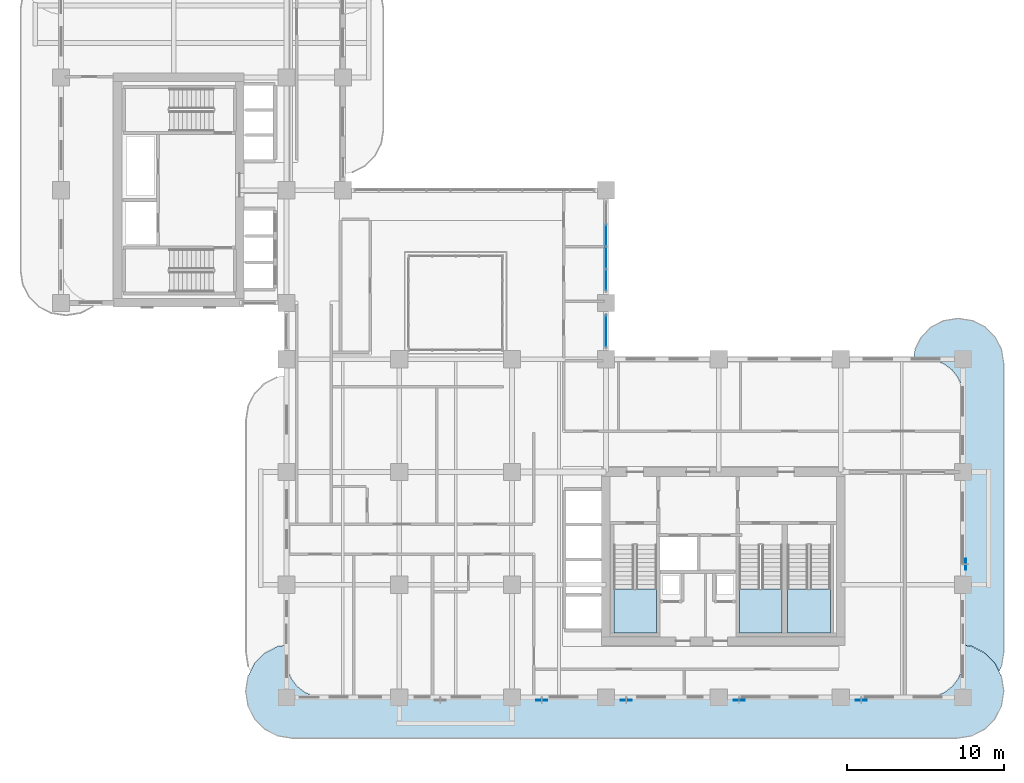
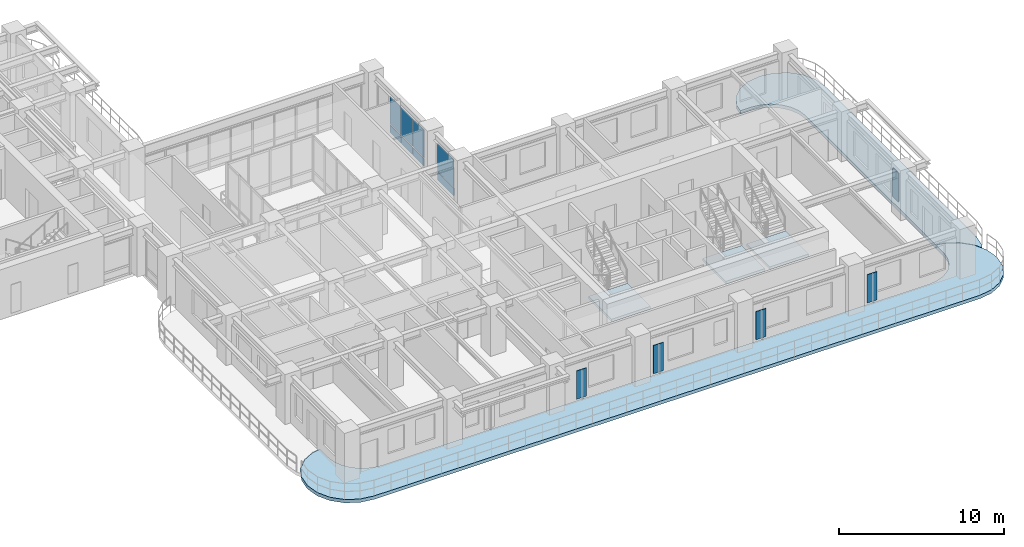
# One storey, part 10 of 22: 13 plates, 5 slabs, 5 elements without a shape of their own.
"""IFC4 building model written with IfcOpenShell, lengths in metres."""

from ifc_helpers import new_model, si_unit, derived_unit, direction, frame, origin, origin_2d, place, context, subcontext, project, spatial, polyline, rectangle, outline, extrude, source, transform, mapped, material, layer, layer_set, type_object, type_shapes, element, aggregate, save


model = new_model("IFC4")

# Units and contexts
model_context = context("Model", 3, precision=1e-05, world=origin(), true_north=direction((0.0, 1.0)))
body_context = subcontext(model_context, "Body", "Model", "MODEL_VIEW")
ifc_project = project(units=[si_unit("LENGTHUNIT", "METRE"), si_unit("AREAUNIT", "SQUARE_METRE"), si_unit("VOLUMEUNIT", "CUBIC_METRE"), si_unit("PLANEANGLEUNIT", "RADIAN"), si_unit("MASSUNIT", "GRAM", prefix="KILO"), si_unit("THERMODYNAMICTEMPERATUREUNIT", "KELVIN"), si_unit("POWERUNIT", "WATT"), derived_unit("THERMALTRANSMITTANCEUNIT", [(si_unit("POWERUNIT", "WATT"), 1), (si_unit("AREAUNIT", "SQUARE_METRE"), -1), (si_unit("THERMODYNAMICTEMPERATUREUNIT", "KELVIN"), -1)])], contexts=[model_context])

# Site, building, storey
site_placement = place(None, origin())
site = spatial("IfcSite", under=ifc_project, at=site_placement, CompositionType="ELEMENT")
building_placement = place(site_placement, origin())
building = spatial("IfcBuilding", under=site, at=building_placement, Name="Zahravan Archway Hotel and Residences", CompositionType="ELEMENT")
storey_placement = place(building_placement, frame((0.0, 0.0, 99.0)))
storey = spatial("IfcBuildingStorey", under=building, at=storey_placement, Name="L24", CompositionType="ELEMENT", Elevation=99.0)

# Slabs
ifc_material_1 = material(Name="Concrete C45/55", Category="concrete")
ifc_layer_1 = layer(ifc_material_1, 0.25, Name="Concrete C45/55", Category="concrete")
ifc_layer_set_1 = layer_set([ifc_layer_1], Name="Concrete C45/55")
slab_type_1 = type_object("IfcSlabType", Name="SLB-BALC-250", PredefinedType="FLOOR", material=ifc_layer_set_1)
slab_1_placement = place(storey_placement, frame((0.0, 0.0, -0.25)))
element("IfcSlab", 1, at=slab_1_placement, inside=storey, type_object=slab_type_1, Name="L24 Wing A South Rounded Balcony Band", PredefinedType="FLOOR", context=body_context, shape_type="SweptSolid", body=[
    extrude(outline(polyline([(58.16162109375, 3.255615234375), (58.98388671875, 2.836669921875), (59.63671875, 2.18408203125), (60.0556640625, 1.361572265625), (60.199951171875, 0.449951171875), (60.199951171875, 0.35009765625), (60.0556640625, -0.5615234375), (59.63671875, -1.384033203125), (58.98388671875, -2.03662109375), (58.16162109375, -2.45556640625), (57.25, -2.60009765625), (14.75, -2.60009765625), (13.83837890625, -2.45556640625), (13.01611328125, -2.03662109375), (12.36328125, -1.384033203125), (11.9443359375, -0.5615234375), (11.800048828125, 0.35009765625), (11.800048828125, 0.449951171875), (11.9443359375, 1.361572265625), (12.36328125, 2.18408203125), (13.01611328125, 2.836669921875), (13.83837890625, 3.255615234375), (14.3798828125, 3.34130859375), (14.3798828125, 2.39990234375), (14.380126953125, 2.3974609375), (14.4619140625, 1.776123046875), (14.46240234375, 1.7744140625), (14.462646484375, 1.772705078125), (14.46337890625, 1.77099609375), (14.702880859375, 1.1923828125), (14.703857421875, 1.19091796875), (14.70458984375, 1.189208984375), (14.70556640625, 1.187744140625), (15.0869140625, 0.690673828125), (15.088134765625, 0.689453125), (15.08935546875, 0.688232421875), (15.0908203125, 0.68701171875), (15.587890625, 0.3056640625), (15.58935546875, 0.3046875), (15.5908203125, 0.3037109375), (15.59228515625, 0.302978515625), (16.171142578125, 0.063232421875), (16.1728515625, 0.062744140625), (16.174560546875, 0.062255859375), (16.17626953125, 0.06201171875), (16.79736328125, -0.019775390625), (16.800048828125, -0.02001953125), (55.199951171875, -0.02001953125), (55.20263671875, -0.019775390625), (55.82373046875, 0.06201171875), (55.825439453125, 0.062255859375), (55.8271484375, 0.062744140625), (55.828857421875, 0.063232421875), (56.40771484375, 0.302978515625), (56.4091796875, 0.3037109375), (56.41064453125, 0.3046875), (56.412109375, 0.3056640625), (56.9091796875, 0.68701171875), (56.91064453125, 0.688232421875), (56.911865234375, 0.689453125), (56.9130859375, 0.690673828125), (57.29443359375, 1.187744140625), (57.29541015625, 1.189208984375), (57.296142578125, 1.19091796875), (57.297119140625, 1.1923828125), (57.53662109375, 1.77099609375), (57.537353515625, 1.772705078125), (57.53759765625, 1.7744140625), (57.5380859375, 1.776123046875), (57.619873046875, 2.3974609375), (57.6201171875, 2.39990234375), (57.6201171875, 3.34130859375), (58.16162109375, 3.255615234375)])), origin(), (0.0, 0.0, 1.0), 0.25),
])
slab_2_placement = place(storey_placement, frame((0.0, 0.0, -0.25)))
element("IfcSlab", 2, at=slab_2_placement, inside=storey, type_object=slab_type_1, Name="L24 Wing A East Rounded Balcony Band", PredefinedType="FLOOR", context=body_context, shape_type="SweptSolid", body=[
    extrude(outline(polyline([(54.53955078125, 22.230712890625), (54.9443359375, 23.025146484375), (55.57470703125, 23.65576171875), (56.369384765625, 24.060546875), (57.25, 24.199951171875), (57.35009765625, 24.199951171875), (58.230712890625, 24.060546875), (59.025146484375, 23.65576171875), (59.65576171875, 23.025146484375), (60.060546875, 22.230712890625), (60.199951171875, 21.35009765625), (60.199951171875, 2.85009765625), (60.060546875, 1.96923828125), (59.91455078125, 1.6826171875), (59.654296875, 2.193115234375), (59.6533203125, 2.19482421875), (59.652099609375, 2.196533203125), (59.650634765625, 2.197998046875), (58.998046875, 2.8505859375), (58.99658203125, 2.85205078125), (58.994873046875, 2.853515625), (58.9931640625, 2.8544921875), (58.170654296875, 3.2734375), (58.168701171875, 3.2744140625), (58.166748046875, 3.27490234375), (58.164794921875, 3.275390625), (57.623046875, 3.361083984375), (57.62109375, 3.361328125), (57.6201171875, 3.361328125), (57.6201171875, 19.199951171875), (57.619873046875, 19.20263671875), (57.5380859375, 19.82373046875), (57.53759765625, 19.825439453125), (57.537353515625, 19.8271484375), (57.53662109375, 19.828857421875), (57.297119140625, 20.40771484375), (57.296142578125, 20.4091796875), (57.29541015625, 20.41064453125), (57.29443359375, 20.412109375), (56.9130859375, 20.9091796875), (56.911865234375, 20.91064453125), (56.91064453125, 20.911865234375), (56.9091796875, 20.9130859375), (56.412109375, 21.29443359375), (56.41064453125, 21.29541015625), (56.4091796875, 21.296142578125), (56.40771484375, 21.297119140625), (55.828857421875, 21.53662109375), (55.8271484375, 21.537353515625), (55.825439453125, 21.53759765625), (55.82373046875, 21.5380859375), (55.20263671875, 21.619873046875), (55.199951171875, 21.6201171875), (54.44287109375, 21.6201171875), (54.53955078125, 22.230712890625)])), origin(), (0.0, 0.0, 1.0), 0.25),
])

# Stair, slab
ifc_material_2 = material(Name="Concrete C50/60", Category="concrete")
stair_type = type_object("IfcStairType", Name="STR-CORE-1300", PredefinedType="HALF_TURN_STAIR", material=ifc_material_2)
stair_1_placement = place(storey_placement, origin())
stair_1 = element("IfcStair", 3, at=stair_1_placement, inside=storey, type_object=stair_type, Name="L24 Core A Exit Stair 1", PredefinedType="HALF_TURN_STAIR")
ifc_layer_2 = layer(ifc_material_2, 0.199951171875, Name="Concrete C50/60", Category="concrete")
ifc_layer_set_2 = layer_set([ifc_layer_2], Name="Concrete C50/60")
slab_type_2 = type_object("IfcSlabType", Name="SLB-LND-200", PredefinedType="LANDING", material=ifc_layer_set_2)
slab_3_placement = place(storey_placement, frame((0.0, 0.0, 1.64990234375)))
slab_3 = element("IfcSlab", 4, at=slab_3_placement, type_object=slab_type_2, Name="ST-A1 landing 1", PredefinedType="LANDING", context=body_context, shape_type="SweptSolid", body=[
    extrude(outline(polyline([(35.300048828125, 6.929931640625), (35.300048828125, 4.10009765625), (38.0400390625, 4.10009765625), (38.0400390625, 6.929931640625), (35.300048828125, 6.929931640625)])), origin(), (0.0, 0.0, 1.0), 0.2001953125),
])
aggregate(stair_1, [slab_3])

stair_2_placement = place(storey_placement, origin())
stair_2 = element("IfcStair", 5, at=stair_2_placement, inside=storey, type_object=stair_type, Name="L24 Core A Exit Stair 2", PredefinedType="HALF_TURN_STAIR")
slab_4_placement = place(storey_placement, frame((0.0, 0.0, 1.64990234375)))
slab_4 = element("IfcSlab", 6, at=slab_4_placement, type_object=slab_type_2, Name="ST-A2 landing 1", PredefinedType="LANDING", context=body_context, shape_type="SweptSolid", body=[
    extrude(outline(polyline([(43.320068359375, 6.929931640625), (43.320068359375, 4.10009765625), (46.06005859375, 4.10009765625), (46.06005859375, 6.929931640625), (43.320068359375, 6.929931640625)])), origin(), (0.0, 0.0, 1.0), 0.2001953125),
])
aggregate(stair_2, [slab_4])

stair_3_placement = place(storey_placement, origin())
stair_3 = element("IfcStair", 7, at=stair_3_placement, inside=storey, type_object=stair_type, Name="L24 Core A Exit Stair 3", PredefinedType="HALF_TURN_STAIR")
slab_5_placement = place(storey_placement, frame((0.0, 0.0, 1.64990234375)))
slab_5 = element("IfcSlab", 8, at=slab_5_placement, type_object=slab_type_2, Name="ST-A3 landing 1", PredefinedType="LANDING", context=body_context, shape_type="SweptSolid", body=[
    extrude(outline(polyline([(46.39990234375, 6.929931640625), (46.39990234375, 4.10009765625), (49.139892578125, 4.10009765625), (49.139892578125, 6.929931640625), (46.39990234375, 6.929931640625)])), origin(), (0.0, 0.0, 1.0), 0.2001953125),
])
aggregate(stair_3, [slab_5])

# Plates
ifc_material_3 = material(Name="Perforated Cast Bronze Jali Lattice")
ifc_layer_3 = layer(ifc_material_3, 0.044921875, Name="Perforated Cast Bronze Jali Lattice")
ifc_layer_set_3 = layer_set([ifc_layer_3], Name="Perforated Cast Bronze Jali Lattice")
plate_type_1 = type_object("IfcPlateType", Name="PLT-JALI-BAY", PredefinedType="USERDEFINED", material=ifc_layer_set_3)
shared_shape_1 = source(origin(), body_context, "Body", "SweptSolid", [
    extrude(rectangle(XDim=0.699951171875, YDim=0.044921875, at=origin_2d()), origin(), (0.0, 0.0, 1.0), 2.10009765625),
])
type_shapes(plate_type_1, [shared_shape_1])
for number, where, z_axis, x_axis, name in (
    (9, (30.7080078125, -0.177978515625, 0.25), (0.0, 0.0, 1.0), (1.0, 0.0, 0.0), "L24 Perforated Bronze Jali Pier Screen 02"),
    (10, (36.10009765625, -0.177978515625, 0.25), (0.0, 0.0, 1.0), (1.0, 0.0, 0.0), "L24 Perforated Bronze Jali Pier Screen 03"),
    (11, (43.300048828125, -0.177978515625, 0.25), (0.0, 0.0, 1.0), (1.0, 0.0, 0.0), "L24 Perforated Bronze Jali Pier Screen 04"),
    (12, (51.10009765625, -0.177978515625, 0.25), (0.0, 0.0, 1.0), (1.0, 0.0, 0.0), "L24 Perforated Bronze Jali Pier Screen 05"),
    (13, (57.778076171875, 8.5, 0.25), (0.0, 0.0, 1.0), (0.0, 1.0, 0.0), "L24 Perforated Bronze Jali Pier Screen 06"),
):
    element("IfcPlate", number, at=place(storey_placement, frame(where, z_axis=z_axis, x_axis=x_axis)), inside=storey, type_object=plate_type_1, Name=name, ObjectType="SCREEN", PredefinedType="USERDEFINED", context=body_context, shape_type="MappedRepresentation", body=[
        mapped(shared_shape_1, transform((0.0, 0.0, 0.0), scale=1.0)),
    ])

# Curtain wall, plates
ifc_material_4 = material(Name="Bronze-Anodized Unitised Aluminium & Low-E Glass", Category="aluminium")
ifc_layer_4 = layer(ifc_material_4, 0.179931640625, Name="Bronze-Anodized Unitised Aluminium & Low-E Glass", Category="aluminium")
ifc_layer_set_4 = layer_set([ifc_layer_4], Name="Bronze-Anodized Unitised Aluminium & Low-E Glass")
curtain_wall_type = type_object("IfcCurtainWallType", Name="CW-TWR-FEAT", PredefinedType="NOTDEFINED", material=ifc_layer_set_4)
curtain_wall_1_placement = place(storey_placement, origin())
curtain_wall_1 = element("IfcCurtainWall", 14, at=curtain_wall_1_placement, inside=storey, type_object=curtain_wall_type, Name="L24 Curtain Wall CW-L24-HNG-E-2", PredefinedType="NOTDEFINED")
ifc_material_5 = material(Name="Insulated Terracotta Spandrel Panel", Category="masonry")
ifc_layer_5 = layer(ifc_material_5, 0.0400390625, Name="Insulated Terracotta Spandrel Panel", Category="masonry")
ifc_layer_set_5 = layer_set([ifc_layer_5], Name="Insulated Terracotta Spandrel Panel")
plate_type_2 = type_object("IfcPlateType", Name="CWP-SPN-40", PredefinedType="SHEET", material=ifc_layer_set_5)
shared_shape_2 = source(origin(), body_context, "Body", "SweptSolid", [
    extrude(rectangle(XDim=1.340087890625, YDim=0.0400390625, at=origin_2d()), origin(), (0.0, 0.0, 1.0), 0.552490234375),
])
plate_1_placement = place(storey_placement, frame((34.800048828125, 26.669921875, 0.10009765625), z_axis=(0.0, 0.0, 1.0), x_axis=(0.0, 1.0, 0.0)))
plate_1 = element("IfcPlate", 15, at=plate_1_placement, type_object=plate_type_2, Name="CW-L24-HNG-E-2 Spandrel Panel 0", PredefinedType="SHEET", context=body_context, shape_type="MappedRepresentation", body=[
    mapped(shared_shape_2, transform((0.0, 0.0, 0.0), scale=1.0)),
])
plate_2_placement = place(storey_placement, frame((34.800048828125, 28.090087890625, 0.10009765625), z_axis=(0.0, 0.0, 1.0), x_axis=(0.0, 1.0, 0.0)))
plate_2 = element("IfcPlate", 16, at=plate_2_placement, type_object=plate_type_2, Name="CW-L24-HNG-E-2 Spandrel Panel 1", PredefinedType="SHEET", context=body_context, shape_type="MappedRepresentation", body=[
    mapped(shared_shape_2, transform((0.0, 0.0, 0.0), scale=1.0)),
])
plate_3_placement = place(storey_placement, frame((34.800048828125, 29.510009765625, 0.10009765625), z_axis=(0.0, 0.0, 1.0), x_axis=(0.0, 1.0, 0.0)))
plate_3 = element("IfcPlate", 17, at=plate_3_placement, type_object=plate_type_2, Name="CW-L24-HNG-E-2 Spandrel Panel 2", PredefinedType="SHEET", context=body_context, shape_type="MappedRepresentation", body=[
    mapped(shared_shape_2, transform((0.0, 0.0, 0.0), scale=1.0)),
])
ifc_material_6 = material(Name="Double-Silver Low-E Insulated Vision Glass", Category="glass")
ifc_layer_6 = layer(ifc_material_6, 0.028076171875, Name="Double-Silver Low-E Insulated Vision Glass", Category="glass")
ifc_layer_set_6 = layer_set([ifc_layer_6], Name="Double-Silver Low-E Insulated Vision Glass")
plate_type_3 = type_object("IfcPlateType", Name="CWP-GLZ-28", PredefinedType="CURTAIN_PANEL", material=ifc_layer_set_6)
shared_shape_3 = source(origin(), body_context, "Body", "SweptSolid", [
    extrude(rectangle(XDim=1.340087890625, YDim=0.028076171875, at=origin_2d()), origin(), (0.0, 0.0, 1.0), 2.052490234375),
])
plate_4_placement = place(storey_placement, frame((34.800048828125, 26.669921875, 0.732421875), z_axis=(0.0, 0.0, 1.0), x_axis=(0.0, 1.0, 0.0)))
plate_4 = element("IfcPlate", 18, at=plate_4_placement, type_object=plate_type_3, Name="CW-L24-HNG-E-2 Low-E Vision Panel 0", PredefinedType="CURTAIN_PANEL", context=body_context, shape_type="MappedRepresentation", body=[
    mapped(shared_shape_3, transform((0.0, 0.0, 0.0), scale=1.0)),
])
plate_5_placement = place(storey_placement, frame((34.800048828125, 28.090087890625, 0.732421875), z_axis=(0.0, 0.0, 1.0), x_axis=(0.0, 1.0, 0.0)))
plate_5 = element("IfcPlate", 19, at=plate_5_placement, type_object=plate_type_3, Name="CW-L24-HNG-E-2 Low-E Vision Panel 1", PredefinedType="CURTAIN_PANEL", context=body_context, shape_type="MappedRepresentation", body=[
    mapped(shared_shape_3, transform((0.0, 0.0, 0.0), scale=1.0)),
])
plate_6_placement = place(storey_placement, frame((34.800048828125, 29.510009765625, 0.732421875), z_axis=(0.0, 0.0, 1.0), x_axis=(0.0, 1.0, 0.0)))
plate_6 = element("IfcPlate", 20, at=plate_6_placement, type_object=plate_type_3, Name="CW-L24-HNG-E-2 Low-E Vision Panel 2", PredefinedType="CURTAIN_PANEL", context=body_context, shape_type="MappedRepresentation", body=[
    mapped(shared_shape_3, transform((0.0, 0.0, 0.0), scale=1.0)),
])
aggregate(curtain_wall_1, [plate_1, plate_4, plate_2, plate_5, plate_3, plate_6])

curtain_wall_2_placement = place(storey_placement, origin())
curtain_wall_2 = element("IfcCurtainWall", 21, at=curtain_wall_2_placement, inside=storey, type_object=curtain_wall_type, Name="L24 Curtain Wall CW-L24-HNG-E-1", PredefinedType="NOTDEFINED")
shared_shape_4 = source(origin(), body_context, "Body", "SweptSolid", [
    extrude(rectangle(XDim=2.0, YDim=0.0400390625, at=origin_2d()), origin(), (0.0, 0.0, 1.0), 0.552490234375),
])
plate_7_placement = place(storey_placement, frame((34.800048828125, 23.39990234375, 0.10009765625), z_axis=(0.0, 0.0, 1.0), x_axis=(0.0, 1.0, 0.0)))
plate_7 = element("IfcPlate", 22, at=plate_7_placement, type_object=plate_type_2, Name="CW-L24-HNG-E-1 Spandrel Panel 0", PredefinedType="SHEET", context=body_context, shape_type="MappedRepresentation", body=[
    mapped(shared_shape_4, transform((0.0, 0.0, 0.0), scale=1.0)),
])
shared_shape_5 = source(origin(), body_context, "Body", "SweptSolid", [
    extrude(rectangle(XDim=2.0, YDim=0.028076171875, at=origin_2d()), origin(), (0.0, 0.0, 1.0), 2.052490234375),
])
plate_8_placement = place(storey_placement, frame((34.800048828125, 23.39990234375, 0.732421875), z_axis=(0.0, 0.0, 1.0), x_axis=(0.0, 1.0, 0.0)))
plate_8 = element("IfcPlate", 23, at=plate_8_placement, type_object=plate_type_3, Name="CW-L24-HNG-E-1 Low-E Vision Panel 0", PredefinedType="CURTAIN_PANEL", context=body_context, shape_type="MappedRepresentation", body=[
    mapped(shared_shape_5, transform((0.0, 0.0, 0.0), scale=1.0)),
])
aggregate(curtain_wall_2, [plate_7, plate_8])

save(model, "model.ifc")
